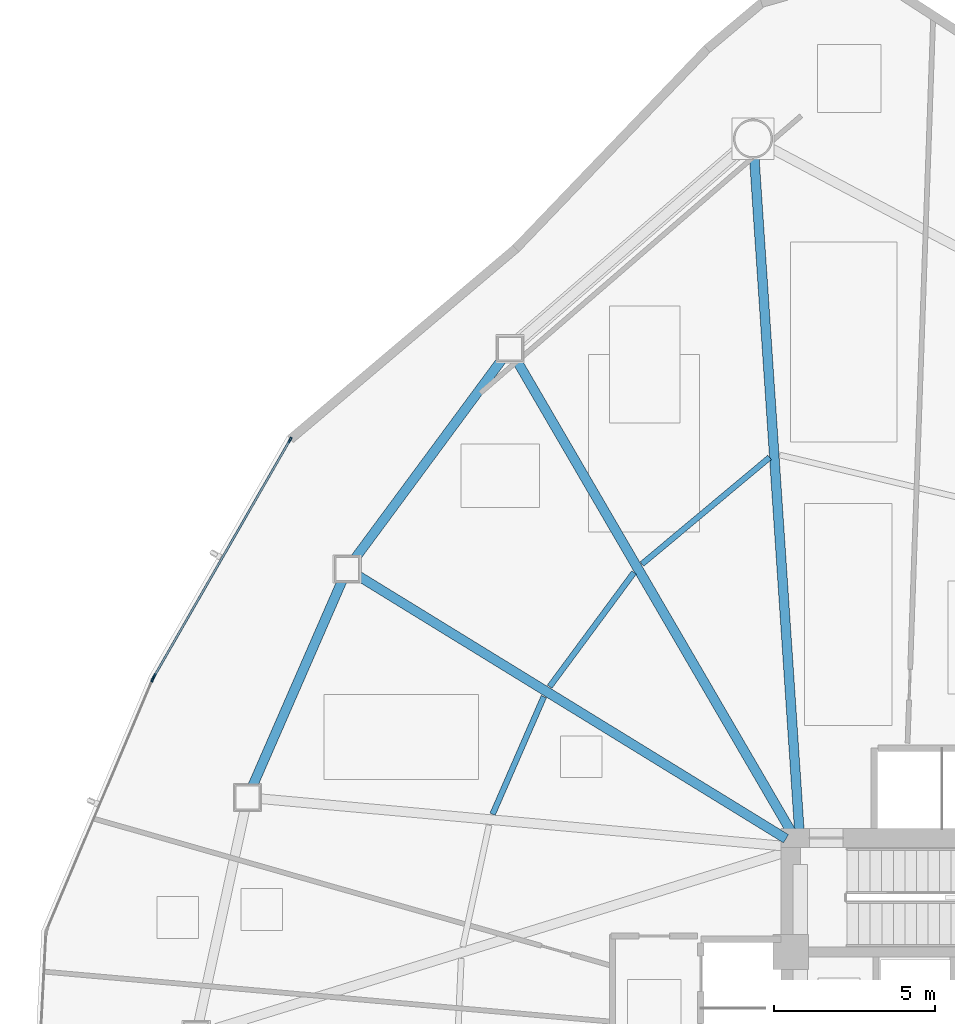
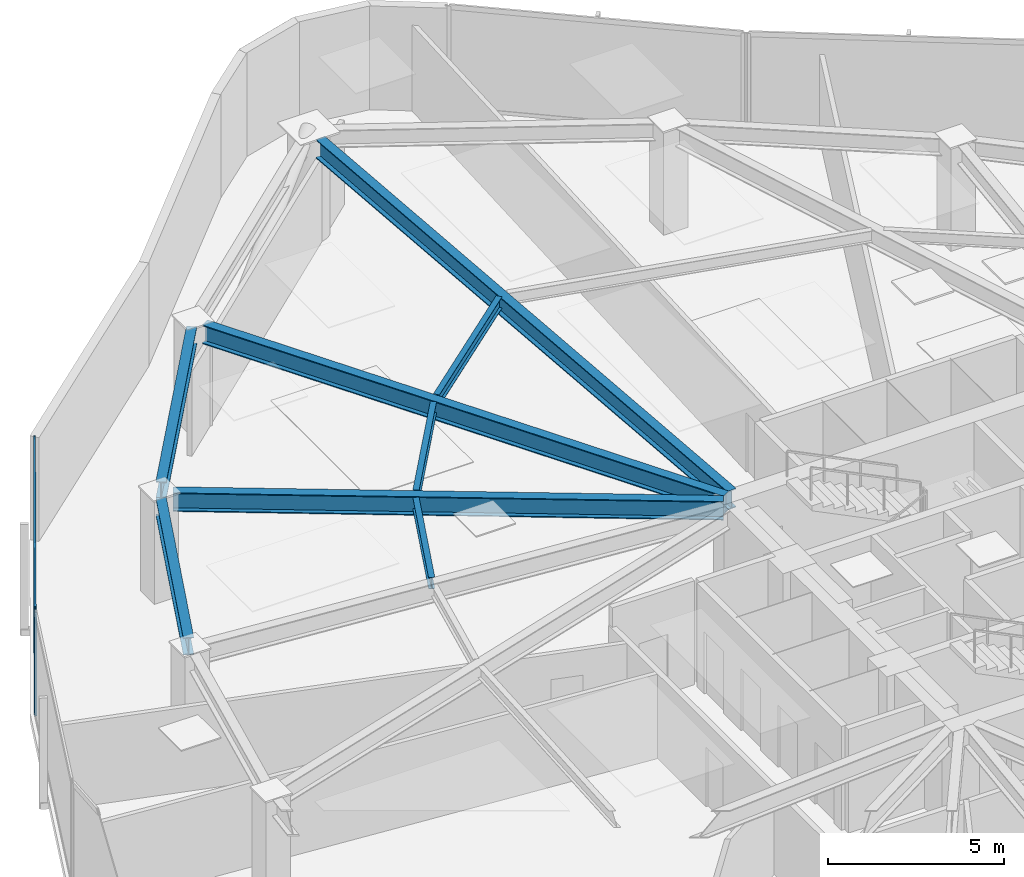
# One storey, part 7 of 17: 8 beams, 5 members, 2 elements without a shape of their own.
"""IFC4 building model written with IfcOpenShell, lengths in metres."""

from ifc_helpers import new_model, si_unit, direction, frame, origin, origin_2d, place, context, subcontext, project, spatial, hollow_rectangle, i_section, extrude, source, transform, mapped, material, layer, layer_set, material_profile, profile_set, type_object, type_shapes, element, aggregate, save


model = new_model("IFC4")

# Units and contexts
model_context = context("Model", 3, precision=1e-05, world=origin(), true_north=direction((0.0, 1.0)))
body_context = subcontext(model_context, "Body", "Model", "MODEL_VIEW")
ifc_project = project(units=[si_unit("LENGTHUNIT", "METRE"), si_unit("AREAUNIT", "SQUARE_METRE"), si_unit("VOLUMEUNIT", "CUBIC_METRE"), si_unit("PLANEANGLEUNIT", "RADIAN"), si_unit("MASSUNIT", "GRAM", prefix="KILO")], contexts=[model_context])

# Site, building, storey
site_placement = place(None, origin())
site = spatial("IfcSite", under=ifc_project, at=site_placement, CompositionType="ELEMENT")
building_placement = place(site_placement, origin())
building = spatial("IfcBuilding", under=site, at=building_placement, Name="Tavelor Broadcast Tower", CompositionType="ELEMENT")
storey_placement = place(building_placement, frame((0.0, 0.0, 39.300048828125)))
storey = spatial("IfcBuildingStorey", under=building, at=storey_placement, Name="L08", CompositionType="ELEMENT", Elevation=39.300048828125)

# Beams
ifc_material_1 = material(Name="Steel S355", Category="steel")
ifc_material_profile_1 = material_profile(ifc_material_1, i_section(OverallWidth=0.179931640625, OverallDepth=0.39990234375, WebThickness=0.008544921875, FlangeThickness=0.013427734375, at=origin_2d()), Name="IPE 400")
ifc_profile_set_1 = profile_set([ifc_material_profile_1], Name="Steel S355")
beam_type_1 = type_object("IfcBeamType", Name="Composite Floor Joist T1 IPE 400", PredefinedType="JOIST", material=ifc_profile_set_1)
beam_1_placement = place(storey_placement, frame((42.4404296875, 63.345947265625, 3.39990234375), z_axis=(-0.767560074089, -0.640977014146, 0.0), x_axis=(0.640977014146, -0.767560074089, 0.0)))
element("IfcBeam", 1, at=beam_1_placement, inside=storey, type_object=beam_type_1, Name="L08 Secondary Composite Floor Joist 01", PredefinedType="JOIST", context=body_context, shape_type="SweptSolid", body=[
    extrude(i_section(OverallWidth=0.179931640625, OverallDepth=0.39990234375, WebThickness=0.008544921875, FlangeThickness=0.013427734375, at=origin_2d()), origin(), (0.0, 0.0, 1.0), 5.178466796875),
])
beam_2_placement = place(storey_placement, frame((38.218994140625, 59.764892578125, 3.39990234375), z_axis=(-0.594310286319, -0.804235838281, 0.0), x_axis=(0.804235838281, -0.594310286319, 0.0)))
element("IfcBeam", 2, at=beam_2_placement, inside=storey, type_object=beam_type_1, Name="L08 Secondary Composite Floor Joist 02", PredefinedType="JOIST", context=body_context, shape_type="SweptSolid", body=[
    extrude(i_section(OverallWidth=0.179931640625, OverallDepth=0.39990234375, WebThickness=0.008544921875, FlangeThickness=0.013427734375, at=origin_2d()), origin(), (0.0, 0.0, 1.0), 4.41943359375),
])
beam_3_placement = place(storey_placement, frame((35.41259765625, 55.899169921875, 3.39990234375), z_axis=(-0.399676346619, -0.916656324886, 0.0), x_axis=(0.916656324886, -0.399676346619, 0.0)))
element("IfcBeam", 3, at=beam_3_placement, inside=storey, type_object=beam_type_1, Name="L08 Secondary Composite Floor Joist 03", PredefinedType="JOIST", context=body_context, shape_type="SweptSolid", body=[
    extrude(i_section(OverallWidth=0.179931640625, OverallDepth=0.39990234375, WebThickness=0.008544921875, FlangeThickness=0.013427734375, at=origin_2d()), origin(), (0.0, 0.0, 1.0), 3.991943359375),
])
ifc_material_profile_2 = material_profile(ifc_material_1, i_section(OverallWidth=0.300048828125, OverallDepth=0.60009765625, WebThickness=0.015380859375, FlangeThickness=0.030029296875, at=origin_2d()), Name="HEB 600")
ifc_profile_set_2 = profile_set([ifc_material_profile_2], Name="Steel S355")
beam_type_2 = type_object("IfcBeamType", Name="Perimeter Spandrel Beam T1 HEB 600", PredefinedType="SPANDREL", material=ifc_profile_set_2)
beam_4_placement = place(storey_placement, frame((34.1279296875, 66.4189453125, 3.300048828125), z_axis=(-0.59410601814, -0.804386747286, 0.0), x_axis=(0.804386747286, -0.59410601814, 0.0)))
element("IfcBeam", 4, at=beam_4_placement, inside=storey, type_object=beam_type_2, Name="L08 Framed-Tube Ring Spandrel 02", PredefinedType="SPANDREL", context=body_context, shape_type="SweptSolid", body=[
    extrude(i_section(OverallWidth=0.300048828125, OverallDepth=0.60009765625, WebThickness=0.015380859375, FlangeThickness=0.030029296875, at=origin_2d()), origin(), (0.0, 0.0, 1.0), 7.755615234375),
])
beam_5_placement = place(storey_placement, frame((29.138671875, 59.51953125, 3.300048828125), z_axis=(-0.399831402863, -0.916588702355, 0.0), x_axis=(0.916588702355, -0.399831402863, 0.0)))
element("IfcBeam", 5, at=beam_5_placement, inside=storey, type_object=beam_type_2, Name="L08 Framed-Tube Ring Spandrel 03", PredefinedType="SPANDREL", context=body_context, shape_type="SweptSolid", body=[
    extrude(i_section(OverallWidth=0.300048828125, OverallDepth=0.60009765625, WebThickness=0.015380859375, FlangeThickness=0.030029296875, at=origin_2d()), origin(), (0.0, 0.0, 1.0), 6.99267578125),
])
ifc_material_profile_3 = material_profile(ifc_material_1, i_section(OverallWidth=0.300048828125, OverallDepth=0.64990234375, WebThickness=0.01611328125, FlangeThickness=0.031005859375, at=origin_2d()), Name="HEB 650")
ifc_profile_set_3 = profile_set([ifc_material_profile_3], Name="Steel S355")
beam_type_3 = type_object("IfcBeamType", Name="Radial Floor Girder T1 HEB 650", PredefinedType="BEAM", material=ifc_profile_set_3)
beam_6_placement = place(storey_placement, frame((43.36474609375, 51.726806640625, 3.27490234375), z_axis=(-0.066781325407, 0.997767635563, 0.0), x_axis=(-0.997767635563, -0.066781325407, 0.0)))
element("IfcBeam", 6, at=beam_6_placement, inside=storey, type_object=beam_type_3, Name="L08 Radial Primary Floor Girder 01", PredefinedType="BEAM", context=body_context, shape_type="SweptSolid", body=[
    extrude(i_section(OverallWidth=0.300048828125, OverallDepth=0.64990234375, WebThickness=0.01611328125, FlangeThickness=0.031005859375, at=origin_2d()), origin(), (0.0, 0.0, 1.0), 21.002685546875),
])
beam_7_placement = place(storey_placement, frame((43.13427734375, 51.65625, 3.27490234375), z_axis=(-0.503292471027, 0.864116131436, 0.0), x_axis=(-0.864116131436, -0.503292471027, 0.0)))
element("IfcBeam", 7, at=beam_7_placement, inside=storey, type_object=beam_type_3, Name="L08 Radial Primary Floor Girder 02", PredefinedType="BEAM", context=body_context, shape_type="SweptSolid", body=[
    extrude(i_section(OverallWidth=0.300048828125, OverallDepth=0.64990234375, WebThickness=0.01611328125, FlangeThickness=0.031005859375, at=origin_2d()), origin(), (0.0, 0.0, 1.0), 17.0576171875),
])
beam_8_placement = place(storey_placement, frame((42.9501953125, 51.4765625, 3.27490234375), z_axis=(-0.851935691671, 0.523646423894, 0.0), x_axis=(-0.523646423894, -0.851935691671, 0.0)))
element("IfcBeam", 8, at=beam_8_placement, inside=storey, type_object=beam_type_3, Name="L08 Radial Primary Floor Girder 03", PredefinedType="BEAM", context=body_context, shape_type="SweptSolid", body=[
    extrude(i_section(OverallWidth=0.300048828125, OverallDepth=0.64990234375, WebThickness=0.01611328125, FlangeThickness=0.031005859375, at=origin_2d()), origin(), (0.0, 0.0, 1.0), 15.647705078125),
])

# Curtain wall, members
ifc_material_2 = material(Name="Architectural Anodized Aluminium", Category="aluminium")
ifc_layer = layer(ifc_material_2, 0.179931640625)
ifc_layer_set = layer_set([ifc_layer], Name="Architectural Anodized Aluminium")
curtain_wall_type = type_object("IfcCurtainWallType", Name="Tower Low-Zone Unitised Curtain Wall CW02", PredefinedType="NOTDEFINED", material=ifc_layer_set)
curtain_wall_1_placement = place(storey_placement, origin())
curtain_wall_1 = element("IfcCurtainWall", 9, at=curtain_wall_1_placement, inside=storey, type_object=curtain_wall_type, Name="L08 Curtain Wall CW02 Run 49", PredefinedType="NOTDEFINED")
ifc_material_profile_4 = material_profile(ifc_material_2, hollow_rectangle(XDim=0.06494140625, YDim=0.179931640625, WallThickness=0.02197265625, at=origin_2d()), Name="RHS 65x180x22")
ifc_profile_set_4 = profile_set([ifc_material_profile_4], Name="Architectural Anodized Aluminium")
member_type_1 = type_object("IfcMemberType", Name="CW02 Extruded Aluminium Mullion 65x180", PredefinedType="MULLION", material=ifc_profile_set_4)
shared_shape_1 = source(origin(), body_context, "Body", "SweptSolid", [
    extrude(hollow_rectangle(XDim=0.06494140625, YDim=0.179931640625, WallThickness=0.02197265625, at=origin_2d()), origin(), (0.0, 0.0, 1.0), 3.599853515625),
])
type_shapes(member_type_1, [shared_shape_1])
member_1_placement = place(storey_placement, frame((27.510009765625, 63.888916015625, 0.0), z_axis=(0.0, 0.0, 1.0), x_axis=(0.867110592291, -0.498115670037, 0.0)))
member_1 = element("IfcMember", 10, at=member_1_placement, type_object=member_type_1, Name="CW02 mullion 1", PredefinedType="MULLION", context=body_context, shape_type="MappedRepresentation", body=[
    mapped(shared_shape_1, transform((0.0, 0.0, 0.0), scale=1.0)),
])
member_2_placement = place(storey_placement, frame((23.281982421875, 56.52880859375, 0.0), z_axis=(0.0, 0.0, 1.0), x_axis=(0.867110592291, -0.498115670037, 0.0)))
member_2 = element("IfcMember", 11, at=member_2_placement, type_object=member_type_1, Name="CW02 mullion 2", PredefinedType="MULLION", context=body_context, shape_type="MappedRepresentation", body=[
    mapped(shared_shape_1, transform((0.0, 0.0, 0.0), scale=1.0)),
])

# Curtain wall, member
curtain_wall_2_placement = place(storey_placement, origin())
curtain_wall_2 = element("IfcCurtainWall", 12, at=curtain_wall_2_placement, inside=storey, type_object=curtain_wall_type, Name="L08 Curtain Wall CW02 Run 50", PredefinedType="NOTDEFINED")
member_3_placement = place(storey_placement, frame((23.23974609375, 56.44384765625, 0.0), z_axis=(0.0, 0.0, 1.0), x_axis=(0.921021556017, -0.389511608751, 0.0)))
member_3 = element("IfcMember", 13, at=member_3_placement, type_object=member_type_1, Name="CW02 mullion 1", PredefinedType="MULLION", context=body_context, shape_type="MappedRepresentation", body=[
    mapped(shared_shape_1, transform((0.0, 0.0, 0.0), scale=1.0)),
])
aggregate(curtain_wall_2, [member_3])

# Member
ifc_material_profile_5 = material_profile(ifc_material_2, hollow_rectangle(XDim=0.06494140625, YDim=0.179931640625, WallThickness=0.02197265625, at=origin_2d()), Name="RHS 65x180x22")
ifc_profile_set_5 = profile_set([ifc_material_profile_5], Name="Architectural Anodized Aluminium")
member_type_2 = type_object("IfcMemberType", Name="CW02 Extruded Aluminium Transom 65x180", PredefinedType="USERDEFINED", material=ifc_profile_set_5)
shared_shape_2 = source(origin(), body_context, "Body", "SweptSolid", [
    extrude(hollow_rectangle(XDim=0.06494140625, YDim=0.179931640625, WallThickness=0.02197265625, at=origin_2d()), origin(), (0.0, 0.0, 1.0), 8.42333984375),
])
type_shapes(member_type_2, [shared_shape_2])
member_4_placement = place(storey_placement, frame((27.493896484375, 63.86083984375, 0.032470703125), z_axis=(-0.49811657828, -0.867110070546, 0.0), x_axis=(0.867110070546, -0.49811657828, 0.0)))
member_4 = element("IfcMember", 14, at=member_4_placement, type_object=member_type_2, Name="CW02 transom 1.1", ObjectType="TRANSOM", PredefinedType="USERDEFINED", context=body_context, shape_type="MappedRepresentation", body=[
    mapped(shared_shape_2, transform((0.0, 0.0, 0.0), scale=1.0)),
])

member_5_placement = place(storey_placement, frame((27.493896484375, 63.86083984375, 3.5673828125), z_axis=(-0.49811657828, -0.867110070546, 0.0), x_axis=(0.867110070546, -0.49811657828, 0.0)))
member_5 = element("IfcMember", 15, at=member_5_placement, type_object=member_type_2, Name="CW02 transom 1.2", ObjectType="TRANSOM", PredefinedType="USERDEFINED", context=body_context, shape_type="MappedRepresentation", body=[
    mapped(shared_shape_2, transform((0.0, 0.0, 0.0), scale=1.0)),
])

aggregate(curtain_wall_1, [member_1, member_2, member_4, member_5])

save(model, "model.ifc")
